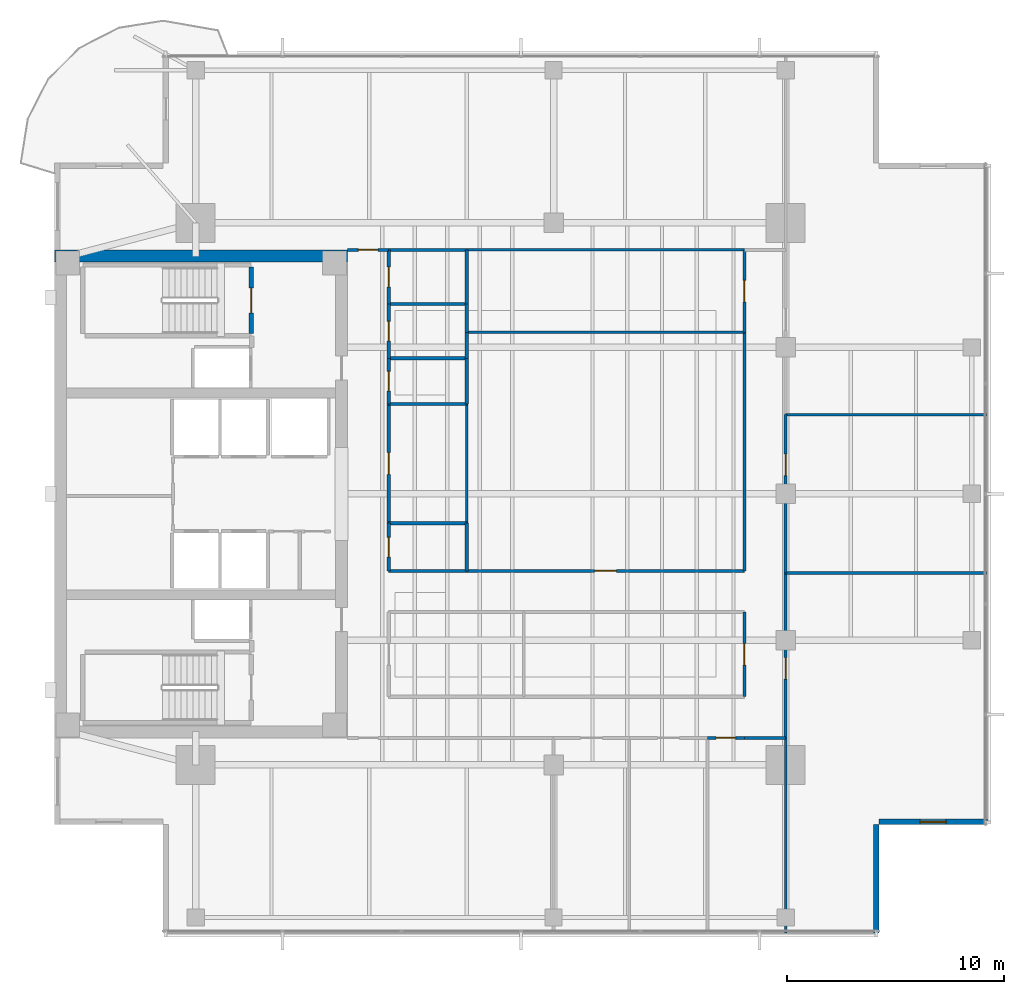
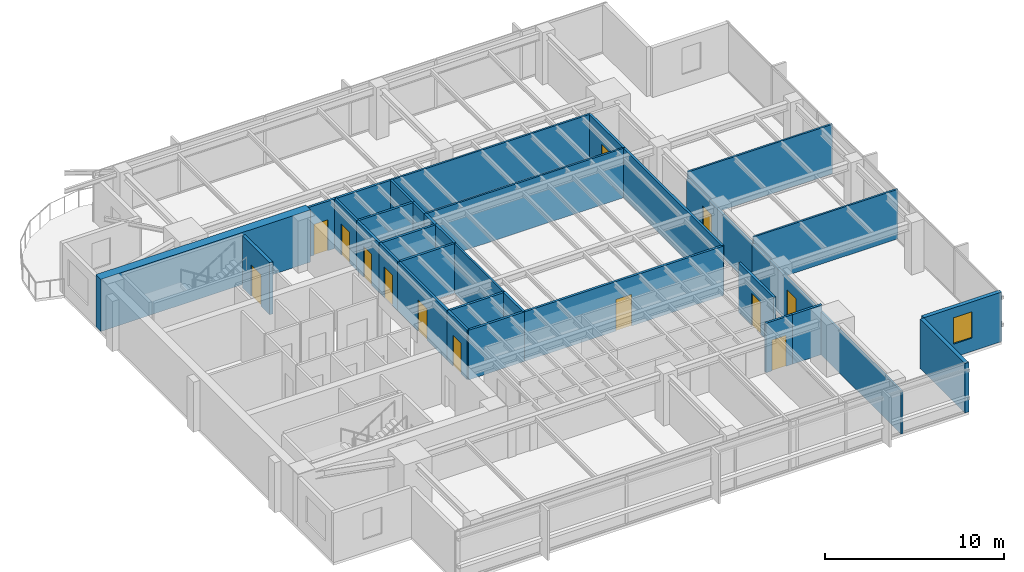
# One storey, part 9 of 14: 35 walls, 13 doors, 1 window, 14 openings.
"""IFC4 building model written with IfcOpenShell, lengths in metres."""

from ifc_helpers import new_model, si_unit, direction, frame, frame_2d, origin, place, context, subcontext, project, spatial, rectangle, extrude, material, layer, layer_set, type_object, element, fill, save


model = new_model("IFC4")

# Units and contexts
model_context = context("Model", 3, precision=1e-05, world=origin(), true_north=direction((0.0, 1.0)))
body_context = subcontext(model_context, "Body", "Model", "MODEL_VIEW")
ifc_project = project(units=[si_unit("LENGTHUNIT", "METRE"), si_unit("AREAUNIT", "SQUARE_METRE"), si_unit("VOLUMEUNIT", "CUBIC_METRE"), si_unit("PLANEANGLEUNIT", "RADIAN"), si_unit("MASSUNIT", "GRAM", prefix="KILO")], contexts=[model_context])

# Site, building, storey
site_placement = place(None, origin())
site = spatial("IfcSite", under=ifc_project, at=site_placement, CompositionType="ELEMENT")
building_placement = place(site_placement, origin())
building = spatial("IfcBuilding", under=site, at=building_placement, Name="Kinhvarn Gate Tower", CompositionType="ELEMENT")
storey_placement = place(building_placement, frame((0.0, 0.0, 223.550048828125)))
storey = spatial("IfcBuildingStorey", under=building, at=storey_placement, Name="L59", CompositionType="ELEMENT", Elevation=223.550048828125)

# Walls
ifc_material_1 = material(Name="Concrete C60/75", Category="concrete")
ifc_layer_1 = layer(ifc_material_1, 0.550048828125)
ifc_layer_set_1 = layer_set([ifc_layer_1], Name="Concrete C60/75")
wall_type_1 = type_object("IfcWallType", Name="WL-CORE-550", PredefinedType="SHEAR", material=ifc_layer_set_1)
wall_1_placement = place(storey_placement, frame((4.5, 36.22509765625, 0.0), z_axis=(0.0, 0.0, 1.0), x_axis=(1.0, 0.0, 0.0)))
element("IfcWall", 1, at=wall_1_placement, inside=storey, type_object=wall_type_1, Name="Core North Shear Wall L59 550 mm", PredefinedType="SHEAR", context=body_context, shape_type="SweptSolid", body=[
    extrude(rectangle(XDim=13.5, YDim=0.550048828125, at=frame_2d((6.75, 0.0))), origin(), (0.0, 0.0, 1.0), 3.550048828125),
])
ifc_material_2 = material(Name="Fired architectural terracotta", Category="masonry")
ifc_layer_2 = layer(ifc_material_2, 0.25)
ifc_layer_set_2 = layer_set([ifc_layer_2], Name="Fired architectural terracotta")
wall_type_2 = type_object("IfcWallType", Name="WL-EXT-250", PredefinedType="SOLIDWALL", material=ifc_layer_set_2)
wall_2_placement = place(storey_placement, frame((42.375, 5.0, 0.0), z_axis=(0.0, 0.0, 1.0), x_axis=(0.0, 1.0, 0.0)))
element("IfcWall", 2, at=wall_2_placement, inside=storey, type_object=wall_type_2, Name="Exterior Solidwall Wall EW-250 (L59 SE-Notch-1)", PredefinedType="SOLIDWALL", context=body_context, shape_type="SweptSolid", body=[
    extrude(rectangle(XDim=5.0, YDim=0.25, at=frame_2d((2.5, 0.0))), origin(), (0.0, 0.0, 1.0), 3.369873046875),
])

# Wall, opening, window
wall_3_placement = place(storey_placement, frame((42.5, 10.125, 0.0), z_axis=(0.0, 0.0, 1.0), x_axis=(1.0, 0.0, 0.0)))
wall_3 = element("IfcWall", 3, at=wall_3_placement, inside=storey, type_object=wall_type_2, Name="Exterior Solidwall Wall EW-250 (L59 SE-Notch-2)", PredefinedType="SOLIDWALL", context=body_context, shape_type="SweptSolid", body=[
    extrude(rectangle(XDim=5.0, YDim=0.25, at=frame_2d((2.5, 0.0))), origin(), (0.0, 0.0, 1.0), 3.369873046875),
])
opening_1_placement = place(wall_3_placement, frame((1.89990234375, 0.0, 0.89990234375)))
opening_1 = element("IfcOpeningElement", 4, at=opening_1_placement, cuts=wall_3, Name="Opening WN-02", PredefinedType="OPENING", context=body_context, shape_type="SweptSolid", body=[
    extrude(rectangle(XDim=1.199951171875, YDim=1.800048828125, at=frame_2d((0.60009765625, 0.89990234375))), frame((0.0, 0.135009765625, 0.0), z_axis=(0.0, -1.0, 0.0), x_axis=(1.0, 0.0, 0.0)), (0.0, 0.0, 1.0), 0.27001953125),
])
ifc_material_3 = material(Name="Clear low-e double glazing", Category="glass")
window_type = type_object("IfcWindowType", Name="WIN-NTC-1200", PartitioningType="SINGLE_PANEL", PredefinedType="WINDOW", material=ifc_material_3)
window_placement = place(opening_1_placement, origin())
window = element("IfcWindow", 5, at=window_placement, inside=storey, type_object=window_type, Name="Recessed Corner Notch Punched Window 1200x1800 mm (L59)", OverallHeight=1.800048828125, OverallWidth=1.199951171875, PartitioningType="SINGLE_PANEL", PredefinedType="WINDOW", context=body_context, shape_type="SweptSolid", body=[
    extrude(rectangle(XDim=1.199951171875, YDim=1.800048828125, at=frame_2d((0.60009765625, 0.89990234375))), frame((0.0, 0.030029296875, 0.0), z_axis=(0.0, -1.0, 0.0), x_axis=(1.0, 0.0, 0.0)), (0.0, 0.0, 1.0), 0.06005859375),
])
fill(opening_1, window)

# Walls
ifc_material_4 = material(Name="Gypsum acoustic partition board")
ifc_layer_3 = layer(ifc_material_4, 0.14990234375)
ifc_layer_set_3 = layer_set([ifc_layer_3], Name="Gypsum acoustic partition board")
wall_type_3 = type_object("IfcWallType", Name="WL-PLM-150", PredefinedType="PLUMBINGWALL", material=ifc_layer_set_3)
wall_4_placement = place(storey_placement, frame((19.89990234375, 34.0, 0.0), z_axis=(0.0, 0.0, 1.0), x_axis=(1.0, 0.0, 0.0)))
element("IfcWall", 6, at=wall_4_placement, inside=storey, type_object=wall_type_3, Name="Interior Partition PLW-150 (L59)", PredefinedType="PLUMBINGWALL", context=body_context, shape_type="SweptSolid", body=[
    extrude(rectangle(XDim=3.60009765625, YDim=0.14990234375, at=frame_2d((1.800048828125, 0.0))), origin(), (0.0, 0.0, 1.0), 3.369873046875),
])
wall_5_placement = place(storey_placement, frame((23.5, 34.0, 0.0), z_axis=(0.0, 0.0, 1.0), x_axis=(0.0, 1.0, 0.0)))
element("IfcWall", 7, at=wall_5_placement, inside=storey, type_object=wall_type_3, Name="Interior Partition PLW-150 (L59)", PredefinedType="PLUMBINGWALL", context=body_context, shape_type="SweptSolid", body=[
    extrude(rectangle(XDim=2.5, YDim=0.14990234375, at=frame_2d((1.25, 0.0))), origin(), (0.0, 0.0, 1.0), 3.369873046875),
])
for number, where, z_axis, x_axis, name in (
    (8, (19.89990234375, 36.5, 0.0), (0.0, 0.0, 1.0), (1.0, 0.0, 0.0), "Interior Partition PLW-150 (L59)"),
    (9, (19.89990234375, 31.5, 0.0), (0.0, 0.0, 1.0), (1.0, 0.0, 0.0), "Interior Partition PLW-150 (L59)"),
):
    element("IfcWall", number, at=place(storey_placement, frame(where, z_axis=z_axis, x_axis=x_axis)), inside=storey, type_object=wall_type_3, Name=name, PredefinedType="PLUMBINGWALL", context=body_context, shape_type="SweptSolid", body=[
        extrude(rectangle(XDim=3.60009765625, YDim=0.14990234375, at=frame_2d((1.800048828125, 0.0))), origin(), (0.0, 0.0, 1.0), 3.369873046875),
    ])
wall_6_placement = place(storey_placement, frame((23.5, 32.699951171875, 0.0), z_axis=(0.0, 0.0, 1.0), x_axis=(0.0, 1.0, 0.0)))
element("IfcWall", 10, at=wall_6_placement, inside=storey, type_object=wall_type_3, Name="Interior Partition PLW-150 (L59)", PredefinedType="PLUMBINGWALL", context=body_context, shape_type="SweptSolid", body=[
    extrude(rectangle(XDim=1.300048828125, YDim=0.14990234375, at=frame_2d((0.64990234375, 0.0))), origin(), (0.0, 0.0, 1.0), 3.369873046875),
])
wall_7_placement = place(storey_placement, frame((23.5, 31.5, 0.0), z_axis=(0.0, 0.0, 1.0), x_axis=(0.0, 1.0, 0.0)))
element("IfcWall", 11, at=wall_7_placement, inside=storey, type_object=wall_type_3, Name="Interior Partition PLW-150 (L59)", PredefinedType="PLUMBINGWALL", context=body_context, shape_type="SweptSolid", body=[
    extrude(rectangle(XDim=1.199951171875, YDim=0.14990234375, at=frame_2d((0.60009765625, 0.0))), origin(), (0.0, 0.0, 1.0), 3.369873046875),
])
wall_8_placement = place(storey_placement, frame((19.89990234375, 29.39990234375, 0.0), z_axis=(0.0, 0.0, 1.0), x_axis=(1.0, 0.0, 0.0)))
element("IfcWall", 12, at=wall_8_placement, inside=storey, type_object=wall_type_3, Name="Interior Partition PLW-150 (L59)", PredefinedType="PLUMBINGWALL", context=body_context, shape_type="SweptSolid", body=[
    extrude(rectangle(XDim=3.60009765625, YDim=0.14990234375, at=frame_2d((1.800048828125, 0.0))), origin(), (0.0, 0.0, 1.0), 3.369873046875),
])
wall_9_placement = place(storey_placement, frame((23.5, 29.39990234375, 0.0), z_axis=(0.0, 0.0, 1.0), x_axis=(0.0, 1.0, 0.0)))
element("IfcWall", 13, at=wall_9_placement, inside=storey, type_object=wall_type_3, Name="Interior Partition PLW-150 (L59)", PredefinedType="PLUMBINGWALL", context=body_context, shape_type="SweptSolid", body=[
    extrude(rectangle(XDim=2.10009765625, YDim=0.14990234375, at=frame_2d((1.050048828125, 0.0))), origin(), (0.0, 0.0, 1.0), 3.369873046875),
])
wall_10_placement = place(storey_placement, frame((19.89990234375, 23.89990234375, 0.0), z_axis=(0.0, 0.0, 1.0), x_axis=(1.0, 0.0, 0.0)))
element("IfcWall", 14, at=wall_10_placement, inside=storey, type_object=wall_type_3, Name="Interior Partition PLW-150 (L59)", PredefinedType="PLUMBINGWALL", context=body_context, shape_type="SweptSolid", body=[
    extrude(rectangle(XDim=3.60009765625, YDim=0.14990234375, at=frame_2d((1.800048828125, 0.0))), origin(), (0.0, 0.0, 1.0), 3.369873046875),
])
wall_11_placement = place(storey_placement, frame((23.5, 21.699951171875, 0.0), z_axis=(0.0, 0.0, 1.0), x_axis=(0.0, 1.0, 0.0)))
element("IfcWall", 15, at=wall_11_placement, inside=storey, type_object=wall_type_3, Name="Interior Partition PLW-150 (L59)", PredefinedType="PLUMBINGWALL", context=body_context, shape_type="SweptSolid", body=[
    extrude(rectangle(XDim=2.199951171875, YDim=0.14990234375, at=frame_2d((1.10009765625, 0.0))), origin(), (0.0, 0.0, 1.0), 3.369873046875),
])

# Wall, opening, door
ifc_layer_4 = layer(ifc_material_4, 0.14990234375)
ifc_layer_set_4 = layer_set([ifc_layer_4], Name="Gypsum acoustic partition board")
wall_type_4 = type_object("IfcWallType", Name="WL-PLM-150F", PredefinedType="PLUMBINGWALL", material=ifc_layer_set_4)
wall_12_placement = place(storey_placement, frame((19.89990234375, 34.0, 0.0), z_axis=(0.0, 0.0, 1.0), x_axis=(0.0, 1.0, 0.0)))
wall_12 = element("IfcWall", 16, at=wall_12_placement, inside=storey, type_object=wall_type_4, Name="Interior Partition PLW-150F (L59)", PredefinedType="PLUMBINGWALL", context=body_context, shape_type="SweptSolid", body=[
    extrude(rectangle(XDim=2.5, YDim=0.14990234375, at=frame_2d((1.25, 0.0))), origin(), (0.0, 0.0, 1.0), 3.369873046875),
])
opening_2_placement = place(wall_12_placement, frame((0.800048828125, 0.0, 0.0)))
opening_2 = element("IfcOpeningElement", 17, at=opening_2_placement, cuts=wall_12, Name="Opening FD-04", PredefinedType="OPENING", context=body_context, shape_type="SweptSolid", body=[
    extrude(rectangle(XDim=0.89990234375, YDim=2.10009765625, at=frame_2d((0.449951171875, 1.050048828125))), frame((0.0, 0.0849609375, 0.0), z_axis=(0.0, -1.0, 0.0), x_axis=(1.0, 0.0, 0.0)), (0.0, 0.0, 1.0), 0.169921875),
])
ifc_material_5 = material(Name="Anodised aluminium AW-6063", Category="aluminium")
door_type_1 = type_object("IfcDoorType", Name="DR-FD-900", OperationType="NOTDEFINED", PredefinedType="DOOR", material=ifc_material_5)
door_1_placement = place(opening_2_placement, origin())
door_1 = element("IfcDoor", 18, at=door_1_placement, inside=storey, type_object=door_type_1, Name="Rated Riser & Service Closet Fire Door 900x2100 mm (L59)", OperationType="SINGLE_SWING_LEFT", OverallHeight=2.10009765625, OverallWidth=0.89990234375, PredefinedType="DOOR", context=body_context, shape_type="SweptSolid", body=[
    extrude(rectangle(XDim=0.89990234375, YDim=2.10009765625, at=frame_2d((0.449951171875, 1.050048828125))), frame((0.0, 0.02490234375, 0.0), z_axis=(0.0, -1.0, 0.0), x_axis=(1.0, 0.0, 0.0)), (0.0, 0.0, 1.0), 0.050048828125),
])
fill(opening_2, door_1)

wall_13_placement = place(storey_placement, frame((19.89990234375, 31.5, 0.0), z_axis=(0.0, 0.0, 1.0), x_axis=(0.0, 1.0, 0.0)))
wall_13 = element("IfcWall", 19, at=wall_13_placement, inside=storey, type_object=wall_type_4, Name="Interior Partition PLW-150F (L59)", PredefinedType="PLUMBINGWALL", context=body_context, shape_type="SweptSolid", body=[
    extrude(rectangle(XDim=2.5, YDim=0.14990234375, at=frame_2d((1.25, 0.0))), origin(), (0.0, 0.0, 1.0), 3.369873046875),
])
opening_3_placement = place(wall_13_placement, frame((0.800048828125, 0.0, 0.0)))
opening_3 = element("IfcOpeningElement", 20, at=opening_3_placement, cuts=wall_13, Name="Opening FD-04", PredefinedType="OPENING", context=body_context, shape_type="SweptSolid", body=[
    extrude(rectangle(XDim=0.89990234375, YDim=2.10009765625, at=frame_2d((0.449951171875, 1.050048828125))), frame((0.0, 0.0849609375, 0.0), z_axis=(0.0, -1.0, 0.0), x_axis=(1.0, 0.0, 0.0)), (0.0, 0.0, 1.0), 0.169921875),
])
door_2_placement = place(opening_3_placement, origin())
door_2 = element("IfcDoor", 21, at=door_2_placement, inside=storey, type_object=door_type_1, Name="Rated Riser & Service Closet Fire Door 900x2100 mm (L59)", OperationType="SINGLE_SWING_RIGHT", OverallHeight=2.10009765625, OverallWidth=0.89990234375, PredefinedType="DOOR", context=body_context, shape_type="SweptSolid", body=[
    extrude(rectangle(XDim=0.89990234375, YDim=2.10009765625, at=frame_2d((0.449951171875, 1.050048828125))), frame((0.0, 0.02490234375, 0.0), z_axis=(0.0, -1.0, 0.0), x_axis=(1.0, 0.0, 0.0)), (0.0, 0.0, 1.0), 0.050048828125),
])
fill(opening_3, door_2)

wall_14_placement = place(storey_placement, frame((19.89990234375, 29.39990234375, 0.0), z_axis=(0.0, 0.0, 1.0), x_axis=(0.0, 1.0, 0.0)))
wall_14 = element("IfcWall", 22, at=wall_14_placement, inside=storey, type_object=wall_type_4, Name="Interior Partition PLW-150F (L59)", PredefinedType="PLUMBINGWALL", context=body_context, shape_type="SweptSolid", body=[
    extrude(rectangle(XDim=2.10009765625, YDim=0.14990234375, at=frame_2d((1.050048828125, 0.0))), origin(), (0.0, 0.0, 1.0), 3.369873046875),
])
opening_4_placement = place(wall_14_placement, frame((0.60009765625, 0.0, 0.0)))
opening_4 = element("IfcOpeningElement", 23, at=opening_4_placement, cuts=wall_14, Name="Opening FD-04", PredefinedType="OPENING", context=body_context, shape_type="SweptSolid", body=[
    extrude(rectangle(XDim=0.89990234375, YDim=2.10009765625, at=frame_2d((0.449951171875, 1.050048828125))), frame((0.0, 0.0849609375, 0.0), z_axis=(0.0, -1.0, 0.0), x_axis=(1.0, 0.0, 0.0)), (0.0, 0.0, 1.0), 0.169921875),
])
door_3_placement = place(opening_4_placement, origin())
door_3 = element("IfcDoor", 24, at=door_3_placement, inside=storey, type_object=door_type_1, Name="Rated Riser & Service Closet Fire Door 900x2100 mm (L59)", OperationType="SINGLE_SWING_LEFT", OverallHeight=2.10009765625, OverallWidth=0.89990234375, PredefinedType="DOOR", context=body_context, shape_type="SweptSolid", body=[
    extrude(rectangle(XDim=0.89990234375, YDim=2.10009765625, at=frame_2d((0.449951171875, 1.050048828125))), frame((0.0, 0.02490234375, 0.0), z_axis=(0.0, -1.0, 0.0), x_axis=(1.0, 0.0, 0.0)), (0.0, 0.0, 1.0), 0.050048828125),
])
fill(opening_4, door_3)

wall_15_placement = place(storey_placement, frame((19.89990234375, 21.699951171875, 0.0), z_axis=(0.0, 0.0, 1.0), x_axis=(0.0, 1.0, 0.0)))
wall_15 = element("IfcWall", 25, at=wall_15_placement, inside=storey, type_object=wall_type_4, Name="Interior Partition PLW-150F (L59)", PredefinedType="PLUMBINGWALL", context=body_context, shape_type="SweptSolid", body=[
    extrude(rectangle(XDim=2.199951171875, YDim=0.14990234375, at=frame_2d((1.10009765625, 0.0))), origin(), (0.0, 0.0, 1.0), 3.369873046875),
])
opening_5_placement = place(wall_15_placement, frame((0.64990234375, 0.0, 0.0)))
opening_5 = element("IfcOpeningElement", 26, at=opening_5_placement, cuts=wall_15, Name="Opening FD-04", PredefinedType="OPENING", context=body_context, shape_type="SweptSolid", body=[
    extrude(rectangle(XDim=0.89990234375, YDim=2.10009765625, at=frame_2d((0.449951171875, 1.050048828125))), frame((0.0, 0.0849609375, 0.0), z_axis=(0.0, -1.0, 0.0), x_axis=(1.0, 0.0, 0.0)), (0.0, 0.0, 1.0), 0.169921875),
])
door_4_placement = place(opening_5_placement, origin())
door_4 = element("IfcDoor", 27, at=door_4_placement, inside=storey, type_object=door_type_1, Name="Rated Riser & Service Closet Fire Door 900x2100 mm (L59)", OperationType="SINGLE_SWING_RIGHT", OverallHeight=2.10009765625, OverallWidth=0.89990234375, PredefinedType="DOOR", context=body_context, shape_type="SweptSolid", body=[
    extrude(rectangle(XDim=0.89990234375, YDim=2.10009765625, at=frame_2d((0.449951171875, 1.050048828125))), frame((0.0, 0.02490234375, 0.0), z_axis=(0.0, -1.0, 0.0), x_axis=(1.0, 0.0, 0.0)), (0.0, 0.0, 1.0), 0.050048828125),
])
fill(opening_5, door_4)

# Walls
wall_16_placement = place(storey_placement, frame((19.89990234375, 21.699951171875, 0.0), z_axis=(0.0, 0.0, 1.0), x_axis=(1.0, 0.0, 0.0)))
element("IfcWall", 28, at=wall_16_placement, inside=storey, type_object=wall_type_4, Name="Interior Partition PLW-150F (L59)", PredefinedType="PLUMBINGWALL", context=body_context, shape_type="SweptSolid", body=[
    extrude(rectangle(XDim=3.60009765625, YDim=0.14990234375, at=frame_2d((1.800048828125, 0.0))), origin(), (0.0, 0.0, 1.0), 3.369873046875),
])
ifc_layer_5 = layer(ifc_material_4, 0.1201171875)
ifc_layer_set_5 = layer_set([ifc_layer_5], Name="Gypsum acoustic partition board")
wall_type_5 = type_object("IfcWallType", Name="WL-PRT-120", PredefinedType="PARTITIONING", material=ifc_layer_set_5)
wall_17_placement = place(storey_placement, frame((23.5, 23.89990234375, 0.0), z_axis=(0.0, 0.0, 1.0), x_axis=(0.0, 1.0, 0.0)))
element("IfcWall", 29, at=wall_17_placement, inside=storey, type_object=wall_type_5, Name="Interior Partition PW-120 (L59)", PredefinedType="PARTITIONING", context=body_context, shape_type="SweptSolid", body=[
    extrude(rectangle(XDim=5.5, YDim=0.1201171875, at=frame_2d((2.75, 0.0))), origin(), (0.0, 0.0, 1.0), 3.369873046875),
])
for number, where, z_axis, x_axis, name in (
    (30, (23.5, 32.699951171875, 0.0), (0.0, 0.0, 1.0), (1.0, 0.0, 0.0), "Interior Partition PW-120 (L59)"),
    (31, (23.5, 36.5, 0.0), (0.0, 0.0, 1.0), (1.0, 0.0, 0.0), "Interior Partition PW-120 (L59)"),
):
    element("IfcWall", number, at=place(storey_placement, frame(where, z_axis=z_axis, x_axis=x_axis)), inside=storey, type_object=wall_type_5, Name=name, PredefinedType="PARTITIONING", context=body_context, shape_type="SweptSolid", body=[
        extrude(rectangle(XDim=12.800048828125, YDim=0.1201171875, at=frame_2d((6.39990234375, 0.0))), origin(), (0.0, 0.0, 1.0), 3.369873046875),
    ])
wall_18_placement = place(storey_placement, frame((38.199951171875, 5.010009765625, 0.0), z_axis=(0.0, 0.0, 1.0), x_axis=(0.0, 1.0, 0.0)))
element("IfcWall", 32, at=wall_18_placement, inside=storey, type_object=wall_type_5, Name="Interior Partition PW-120 (L59)", PredefinedType="PARTITIONING", context=body_context, shape_type="SweptSolid", body=[
    extrude(rectangle(XDim=8.989990234375, YDim=0.1201171875, at=frame_2d((4.4951171875, 0.0))), origin(), (0.0, 0.0, 1.0), 2.919921875),
])
for number, where, z_axis, x_axis, name in (
    (33, (38.199951171875, 21.60009765625, 0.0), (0.0, 0.0, 1.0), (1.0, 0.0, 0.0), "Interior Partition PW-120 (L59)"),
    (34, (38.199951171875, 28.89990234375, 0.0), (0.0, 0.0, 1.0), (1.0, 0.0, 0.0), "Interior Partition PW-120 (L59)"),
):
    element("IfcWall", number, at=place(storey_placement, frame(where, z_axis=z_axis, x_axis=x_axis)), inside=storey, type_object=wall_type_5, Name=name, PredefinedType="PARTITIONING", context=body_context, shape_type="SweptSolid", body=[
        extrude(rectangle(XDim=9.2900390625, YDim=0.1201171875, at=frame_2d((4.64501953125, 0.0))), origin(), (0.0, 0.0, 1.0), 3.369873046875),
    ])

# Wall, opening, door
ifc_layer_6 = layer(ifc_material_4, 0.14990234375)
ifc_layer_set_6 = layer_set([ifc_layer_6], Name="Gypsum acoustic partition board")
wall_type_6 = type_object("IfcWallType", Name="WL-PRT-150F", PredefinedType="PARTITIONING", material=ifc_layer_set_6)
wall_19_placement = place(storey_placement, frame((19.89990234375, 23.89990234375, 0.0), z_axis=(0.0, 0.0, 1.0), x_axis=(0.0, 1.0, 0.0)))
wall_19 = element("IfcWall", 35, at=wall_19_placement, inside=storey, type_object=wall_type_6, Name="Interior Partition PW-150F (L59)", PredefinedType="PARTITIONING", context=body_context, shape_type="SweptSolid", body=[
    extrude(rectangle(XDim=5.5, YDim=0.14990234375, at=frame_2d((2.75, 0.0))), origin(), (0.0, 0.0, 1.0), 3.369873046875),
])
opening_6_placement = place(wall_19_placement, frame((2.25, 0.0, 0.0)))
opening_6 = element("IfcOpeningElement", 36, at=opening_6_placement, cuts=wall_19, Name="Opening ID-02", PredefinedType="OPENING", context=body_context, shape_type="SweptSolid", body=[
    extrude(rectangle(XDim=1.0, YDim=2.14990234375, at=frame_2d((0.5, 1.074951171875))), frame((0.0, 0.0849609375, 0.0), z_axis=(0.0, -1.0, 0.0), x_axis=(1.0, 0.0, 0.0)), (0.0, 0.0, 1.0), 0.169921875),
])
door_type_2 = type_object("IfcDoorType", Name="DR-INT-1000", OperationType="NOTDEFINED", PredefinedType="DOOR", material=ifc_material_5)
door_5_placement = place(opening_6_placement, origin())
door_5 = element("IfcDoor", 37, at=door_5_placement, inside=storey, type_object=door_type_2, Name="Standard Office & Meeting Room Door 1000x2150 mm (L59)", OperationType="SINGLE_SWING_LEFT", OverallHeight=2.14990234375, OverallWidth=1.0, PredefinedType="DOOR", context=body_context, shape_type="SweptSolid", body=[
    extrude(rectangle(XDim=1.0, YDim=2.14990234375, at=frame_2d((0.5, 1.074951171875))), frame((0.0, 0.02490234375, 0.0), z_axis=(0.0, -1.0, 0.0), x_axis=(1.0, 0.0, 0.0)), (0.0, 0.0, 1.0), 0.050048828125),
])
fill(opening_6, door_5)

wall_20_placement = place(storey_placement, frame((18.0, 36.5, 0.0), z_axis=(0.0, 0.0, 1.0), x_axis=(1.0, 0.0, 0.0)))
wall_20 = element("IfcWall", 38, at=wall_20_placement, inside=storey, type_object=wall_type_6, Name="Interior Partition PW-150F (L59)", PredefinedType="PARTITIONING", context=body_context, shape_type="SweptSolid", body=[
    extrude(rectangle(XDim=1.89990234375, YDim=0.14990234375, at=frame_2d((0.949951171875, 0.0))), origin(), (0.0, 0.0, 1.0), 3.369873046875),
])
opening_7_placement = place(wall_20_placement, frame((0.5, 0.0, 0.0)))
opening_7 = element("IfcOpeningElement", 39, at=opening_7_placement, cuts=wall_20, Name="Opening ID-03", PredefinedType="OPENING", context=body_context, shape_type="SweptSolid", body=[
    extrude(rectangle(XDim=0.89990234375, YDim=2.10009765625, at=frame_2d((0.449951171875, 1.050048828125))), frame((0.0, 0.0849609375, 0.0), z_axis=(0.0, -1.0, 0.0), x_axis=(1.0, 0.0, 0.0)), (0.0, 0.0, 1.0), 0.169921875),
])
door_type_3 = type_object("IfcDoorType", Name="DR-INT-900", OperationType="NOTDEFINED", PredefinedType="DOOR", material=ifc_material_5)
door_6_placement = place(opening_7_placement, origin())
door_6 = element("IfcDoor", 40, at=door_6_placement, inside=storey, type_object=door_type_3, Name="Cellular Office & Restroom Door 900x2100 mm (L59)", OperationType="SINGLE_SWING_LEFT", OverallHeight=2.10009765625, OverallWidth=0.89990234375, PredefinedType="DOOR", context=body_context, shape_type="SweptSolid", body=[
    extrude(rectangle(XDim=0.89990234375, YDim=2.10009765625, at=frame_2d((0.449951171875, 1.050048828125))), frame((0.0, 0.02490234375, 0.0), z_axis=(0.0, -1.0, 0.0), x_axis=(1.0, 0.0, 0.0)), (0.0, 0.0, 1.0), 0.050048828125),
])
fill(opening_7, door_6)

wall_21_placement = place(storey_placement, frame((23.5, 21.699951171875, 0.0), z_axis=(0.0, 0.0, 1.0), x_axis=(1.0, 0.0, 0.0)))
wall_21 = element("IfcWall", 41, at=wall_21_placement, inside=storey, type_object=wall_type_6, Name="Interior Partition PW-150F (L59)", PredefinedType="PARTITIONING", context=body_context, shape_type="SweptSolid", body=[
    extrude(rectangle(XDim=12.800048828125, YDim=0.14990234375, at=frame_2d((6.39990234375, 0.0))), origin(), (0.0, 0.0, 1.0), 3.369873046875),
])
opening_8_placement = place(wall_21_placement, frame((5.89990234375, 0.0, 0.0)))
opening_8 = element("IfcOpeningElement", 42, at=opening_8_placement, cuts=wall_21, Name="Opening ID-02", PredefinedType="OPENING", context=body_context, shape_type="SweptSolid", body=[
    extrude(rectangle(XDim=1.0, YDim=2.14990234375, at=frame_2d((0.5, 1.074951171875))), frame((0.0, 0.0849609375, 0.0), z_axis=(0.0, -1.0, 0.0), x_axis=(1.0, 0.0, 0.0)), (0.0, 0.0, 1.0), 0.169921875),
])
door_7_placement = place(opening_8_placement, origin())
door_7 = element("IfcDoor", 43, at=door_7_placement, inside=storey, type_object=door_type_2, Name="Standard Office & Meeting Room Door 1000x2150 mm (L59)", OperationType="SINGLE_SWING_RIGHT", OverallHeight=2.14990234375, OverallWidth=1.0, PredefinedType="DOOR", context=body_context, shape_type="SweptSolid", body=[
    extrude(rectangle(XDim=1.0, YDim=2.14990234375, at=frame_2d((0.5, 1.074951171875))), frame((0.0, 0.02490234375, 0.0), z_axis=(0.0, -1.0, 0.0), x_axis=(1.0, 0.0, 0.0)), (0.0, 0.0, 1.0), 0.050048828125),
])
fill(opening_8, door_7)

wall_22_placement = place(storey_placement, frame((36.300048828125, 15.89990234375, 0.0), z_axis=(0.0, 0.0, 1.0), x_axis=(0.0, 1.0, 0.0)))
wall_22 = element("IfcWall", 44, at=wall_22_placement, inside=storey, type_object=wall_type_6, Name="Interior Partition PW-150F (L59)", PredefinedType="PARTITIONING", context=body_context, shape_type="SweptSolid", body=[
    extrude(rectangle(XDim=3.900146484375, YDim=0.14990234375, at=frame_2d((1.9501953125, 0.0))), origin(), (0.0, 0.0, 1.0), 3.369873046875),
])
opening_9_placement = place(wall_22_placement, frame((1.449951171875, 0.0, 0.0)))
opening_9 = element("IfcOpeningElement", 45, at=opening_9_placement, cuts=wall_22, Name="Opening ID-02", PredefinedType="OPENING", context=body_context, shape_type="SweptSolid", body=[
    extrude(rectangle(XDim=1.0, YDim=2.14990234375, at=frame_2d((0.5, 1.074951171875))), frame((0.0, 0.0849609375, 0.0), z_axis=(0.0, -1.0, 0.0), x_axis=(1.0, 0.0, 0.0)), (0.0, 0.0, 1.0), 0.169921875),
])
door_8_placement = place(opening_9_placement, origin())
door_8 = element("IfcDoor", 46, at=door_8_placement, inside=storey, type_object=door_type_2, Name="Standard Office & Meeting Room Door 1000x2150 mm (L59)", OperationType="SINGLE_SWING_LEFT", OverallHeight=2.14990234375, OverallWidth=1.0, PredefinedType="DOOR", context=body_context, shape_type="SweptSolid", body=[
    extrude(rectangle(XDim=1.0, YDim=2.14990234375, at=frame_2d((0.5, 1.074951171875))), frame((0.0, 0.02490234375, 0.0), z_axis=(0.0, -1.0, 0.0), x_axis=(1.0, 0.0, 0.0)), (0.0, 0.0, 1.0), 0.050048828125),
])
fill(opening_9, door_8)

wall_23_placement = place(storey_placement, frame((36.300048828125, 32.699951171875, 0.0), z_axis=(0.0, 0.0, 1.0), x_axis=(0.0, 1.0, 0.0)))
wall_23 = element("IfcWall", 47, at=wall_23_placement, inside=storey, type_object=wall_type_6, Name="Interior Partition PW-150F (L59)", PredefinedType="PARTITIONING", context=body_context, shape_type="SweptSolid", body=[
    extrude(rectangle(XDim=3.800048828125, YDim=0.14990234375, at=frame_2d((1.89990234375, 0.0))), origin(), (0.0, 0.0, 1.0), 3.369873046875),
])
opening_10_placement = place(wall_23_placement, frame((1.39990234375, 0.0, 0.0)))
opening_10 = element("IfcOpeningElement", 48, at=opening_10_placement, cuts=wall_23, Name="Opening ID-02", PredefinedType="OPENING", context=body_context, shape_type="SweptSolid", body=[
    extrude(rectangle(XDim=1.0, YDim=2.14990234375, at=frame_2d((0.5, 1.074951171875))), frame((0.0, 0.0849609375, 0.0), z_axis=(0.0, -1.0, 0.0), x_axis=(1.0, 0.0, 0.0)), (0.0, 0.0, 1.0), 0.169921875),
])
door_9_placement = place(opening_10_placement, origin())
door_9 = element("IfcDoor", 49, at=door_9_placement, inside=storey, type_object=door_type_2, Name="Standard Office & Meeting Room Door 1000x2150 mm (L59)", OperationType="SINGLE_SWING_RIGHT", OverallHeight=2.14990234375, OverallWidth=1.0, PredefinedType="DOOR", context=body_context, shape_type="SweptSolid", body=[
    extrude(rectangle(XDim=1.0, YDim=2.14990234375, at=frame_2d((0.5, 1.074951171875))), frame((0.0, 0.02490234375, 0.0), z_axis=(0.0, -1.0, 0.0), x_axis=(1.0, 0.0, 0.0)), (0.0, 0.0, 1.0), 0.050048828125),
])
fill(opening_10, door_9)

# Walls
wall_24_placement = place(storey_placement, frame((36.300048828125, 21.699951171875, 0.0), z_axis=(0.0, 0.0, 1.0), x_axis=(0.0, 1.0, 0.0)))
element("IfcWall", 50, at=wall_24_placement, inside=storey, type_object=wall_type_6, Name="Interior Partition PW-150F (L59)", PredefinedType="PARTITIONING", context=body_context, shape_type="SweptSolid", body=[
    extrude(rectangle(XDim=11.0, YDim=0.14990234375, at=frame_2d((5.5, 0.0))), origin(), (0.0, 0.0, 1.0), 3.369873046875),
])
wall_25_placement = place(storey_placement, frame((36.300048828125, 14.0, 0.0), z_axis=(0.0, 0.0, 1.0), x_axis=(1.0, 0.0, 0.0)))
element("IfcWall", 51, at=wall_25_placement, inside=storey, type_object=wall_type_6, Name="Interior Partition PW-150F (L59)", PredefinedType="PARTITIONING", context=body_context, shape_type="SweptSolid", body=[
    extrude(rectangle(XDim=1.89990234375, YDim=0.14990234375, at=frame_2d((0.949951171875, 0.0))), origin(), (0.0, 0.0, 1.0), 3.369873046875),
])

# Wall, opening, door
wall_26_placement = place(storey_placement, frame((38.199951171875, 14.0, 0.0), z_axis=(0.0, 0.0, 1.0), x_axis=(0.0, 1.0, 0.0)))
wall_26 = element("IfcWall", 52, at=wall_26_placement, inside=storey, type_object=wall_type_6, Name="Interior Partition PW-150F (L59)", PredefinedType="PARTITIONING", context=body_context, shape_type="SweptSolid", body=[
    extrude(rectangle(XDim=7.60009765625, YDim=0.14990234375, at=frame_2d((3.800048828125, 0.0))), origin(), (0.0, 0.0, 1.0), 2.919921875),
])
opening_11_placement = place(wall_26_placement, frame((2.7060546875, 0.0, 0.0)))
opening_11 = element("IfcOpeningElement", 53, at=opening_11_placement, cuts=wall_26, Name="Opening ID-02", PredefinedType="OPENING", context=body_context, shape_type="SweptSolid", body=[
    extrude(rectangle(XDim=1.0, YDim=2.14990234375, at=frame_2d((0.5, 1.074951171875))), frame((0.0, 0.0849609375, 0.0), z_axis=(0.0, -1.0, 0.0), x_axis=(1.0, 0.0, 0.0)), (0.0, 0.0, 1.0), 0.169921875),
])
door_10_placement = place(opening_11_placement, origin())
door_10 = element("IfcDoor", 54, at=door_10_placement, inside=storey, type_object=door_type_2, Name="Standard Office & Meeting Room Door 1000x2150 mm (L59)", OperationType="SINGLE_SWING_LEFT", OverallHeight=2.14990234375, OverallWidth=1.0, PredefinedType="DOOR", context=body_context, shape_type="SweptSolid", body=[
    extrude(rectangle(XDim=1.0, YDim=2.14990234375, at=frame_2d((0.5, 1.074951171875))), frame((0.0, 0.02490234375, 0.0), z_axis=(0.0, -1.0, 0.0), x_axis=(1.0, 0.0, 0.0)), (0.0, 0.0, 1.0), 0.050048828125),
])
fill(opening_11, door_10)

wall_27_placement = place(storey_placement, frame((38.199951171875, 21.60009765625, 0.0), z_axis=(0.0, 0.0, 1.0), x_axis=(0.0, 1.0, 0.0)))
wall_27 = element("IfcWall", 55, at=wall_27_placement, inside=storey, type_object=wall_type_6, Name="Interior Partition PW-150F (L59)", PredefinedType="PARTITIONING", context=body_context, shape_type="SweptSolid", body=[
    extrude(rectangle(XDim=7.2998046875, YDim=0.14990234375, at=frame_2d((3.64990234375, 0.0))), origin(), (0.0, 0.0, 1.0), 2.919921875),
])
opening_12_placement = place(wall_27_placement, frame((4.486083984375, 0.0, 0.0)))
opening_12 = element("IfcOpeningElement", 56, at=opening_12_placement, cuts=wall_27, Name="Opening ID-02", PredefinedType="OPENING", context=body_context, shape_type="SweptSolid", body=[
    extrude(rectangle(XDim=1.0, YDim=2.14990234375, at=frame_2d((0.5, 1.074951171875))), frame((0.0, 0.0849609375, 0.0), z_axis=(0.0, -1.0, 0.0), x_axis=(1.0, 0.0, 0.0)), (0.0, 0.0, 1.0), 0.169921875),
])
door_11_placement = place(opening_12_placement, origin())
door_11 = element("IfcDoor", 57, at=door_11_placement, inside=storey, type_object=door_type_2, Name="Standard Office & Meeting Room Door 1000x2150 mm (L59)", OperationType="SINGLE_SWING_RIGHT", OverallHeight=2.14990234375, OverallWidth=1.0, PredefinedType="DOOR", context=body_context, shape_type="SweptSolid", body=[
    extrude(rectangle(XDim=1.0, YDim=2.14990234375, at=frame_2d((0.5, 1.074951171875))), frame((0.0, 0.02490234375, 0.0), z_axis=(0.0, -1.0, 0.0), x_axis=(1.0, 0.0, 0.0)), (0.0, 0.0, 1.0), 0.050048828125),
])
fill(opening_12, door_11)

wall_28_placement = place(storey_placement, frame((34.60009765625, 14.0, 0.0), z_axis=(0.0, 0.0, 1.0), x_axis=(1.0, 0.0, 0.0)))
wall_28 = element("IfcWall", 58, at=wall_28_placement, inside=storey, type_object=wall_type_6, Name="Interior Partition PW-150F (L59)", PredefinedType="PARTITIONING", context=body_context, shape_type="SweptSolid", body=[
    extrude(rectangle(XDim=1.699951171875, YDim=0.14990234375, at=frame_2d((0.85009765625, 0.0))), origin(), (0.0, 0.0, 1.0), 3.369873046875),
])
opening_13_placement = place(wall_28_placement, frame((0.39990234375, 0.0, 0.0)))
opening_13 = element("IfcOpeningElement", 59, at=opening_13_placement, cuts=wall_28, Name="Opening ID-03", PredefinedType="OPENING", context=body_context, shape_type="SweptSolid", body=[
    extrude(rectangle(XDim=0.89990234375, YDim=2.10009765625, at=frame_2d((0.449951171875, 1.050048828125))), frame((0.0, 0.0849609375, 0.0), z_axis=(0.0, -1.0, 0.0), x_axis=(1.0, 0.0, 0.0)), (0.0, 0.0, 1.0), 0.169921875),
])
door_12_placement = place(opening_13_placement, origin())
door_12 = element("IfcDoor", 60, at=door_12_placement, inside=storey, type_object=door_type_3, Name="Cellular Office & Restroom Door 900x2100 mm (L59)", OperationType="SINGLE_SWING_RIGHT", OverallHeight=2.10009765625, OverallWidth=0.89990234375, PredefinedType="DOOR", context=body_context, shape_type="SweptSolid", body=[
    extrude(rectangle(XDim=0.89990234375, YDim=2.10009765625, at=frame_2d((0.449951171875, 1.050048828125))), frame((0.0, 0.02490234375, 0.0), z_axis=(0.0, -1.0, 0.0), x_axis=(1.0, 0.0, 0.0)), (0.0, 0.0, 1.0), 0.050048828125),
])
fill(opening_13, door_12)

ifc_material_6 = material(Name="Concrete C40/50", Category="concrete")
ifc_layer_7 = layer(ifc_material_6, 0.199951171875)
ifc_layer_set_7 = layer_set([ifc_layer_7], Name="Concrete C40/50")
wall_type_7 = type_object("IfcWallType", Name="WL-SHF-200", PredefinedType="SOLIDWALL", material=ifc_layer_set_7)
wall_29_placement = place(storey_placement, frame((13.56005859375, 32.64990234375, 0.0), z_axis=(0.0, 0.0, 1.0), x_axis=(0.0, 1.0, 0.0)))
wall_29 = element("IfcWall", 61, at=wall_29_placement, inside=storey, type_object=wall_type_7, Name="Stair ST2 East Entry Wall (L59)", PredefinedType="SOLIDWALL", context=body_context, shape_type="SweptSolid", body=[
    extrude(rectangle(XDim=3.050048828125, YDim=0.199951171875, at=frame_2d((1.52490234375, 0.0))), origin(), (0.0, 0.0, 1.0), 3.550048828125),
])
opening_14_placement = place(wall_29_placement, frame((0.949951171875, 0.0, 0.0)))
opening_14 = element("IfcOpeningElement", 62, at=opening_14_placement, cuts=wall_29, Name="Opening FD-01", PredefinedType="OPENING", context=body_context, shape_type="SweptSolid", body=[
    extrude(rectangle(XDim=1.14990234375, YDim=2.14990234375, at=frame_2d((0.574951171875, 1.074951171875))), frame((0.0, 0.10986328125, 0.0), z_axis=(0.0, -1.0, 0.0), x_axis=(1.0, 0.0, 0.0)), (0.0, 0.0, 1.0), 0.219970703125),
])
door_type_4 = type_object("IfcDoorType", Name="DR-ST-1150", OperationType="NOTDEFINED", PredefinedType="DOOR", material=ifc_material_5)
door_13_placement = place(opening_14_placement, origin())
door_13 = element("IfcDoor", 63, at=door_13_placement, inside=storey, type_object=door_type_4, Name="Exit Stair ST2 Fire Door (L59)", OperationType="SINGLE_SWING_RIGHT", OverallHeight=2.14990234375, OverallWidth=1.14990234375, PredefinedType="DOOR", context=body_context, shape_type="SweptSolid", body=[
    extrude(rectangle(XDim=1.14990234375, YDim=2.14990234375, at=frame_2d((0.574951171875, 1.074951171875))), frame((0.0, 0.02490234375, 0.0), z_axis=(0.0, -1.0, 0.0), x_axis=(1.0, 0.0, 0.0)), (0.0, 0.0, 1.0), 0.050048828125),
])
fill(opening_14, door_13)

save(model, "model.ifc")
